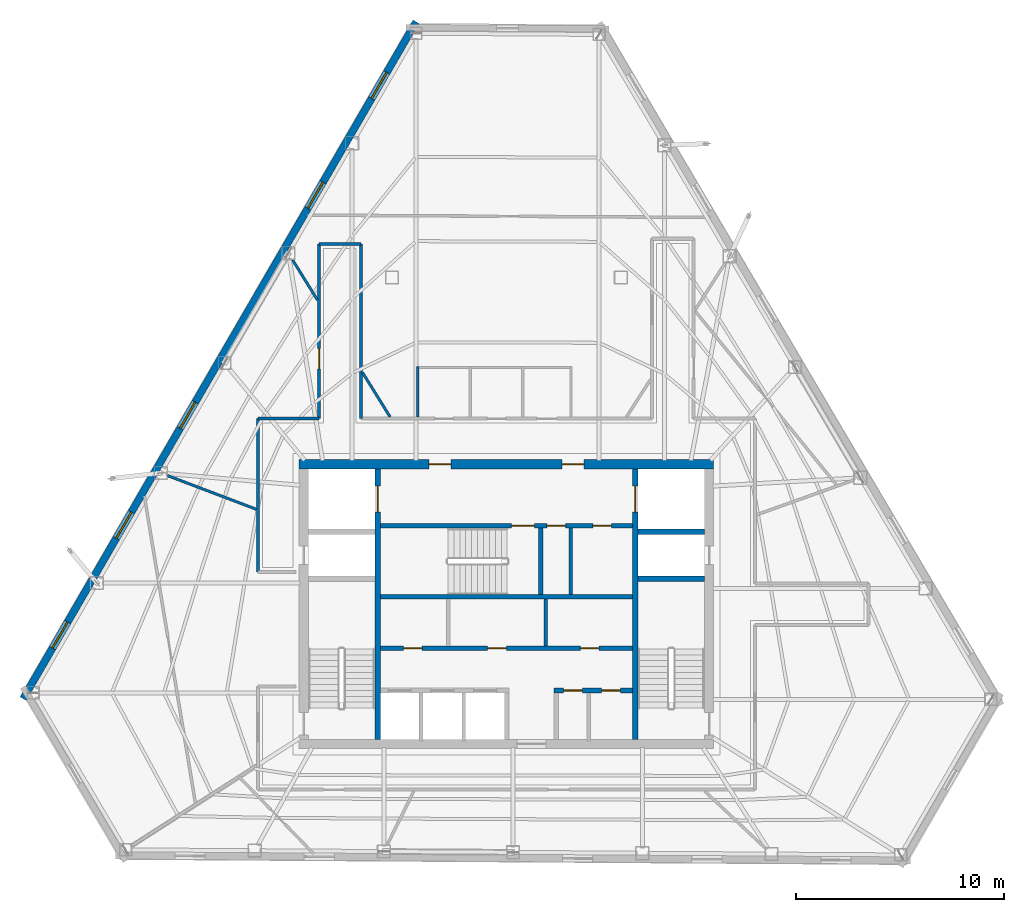
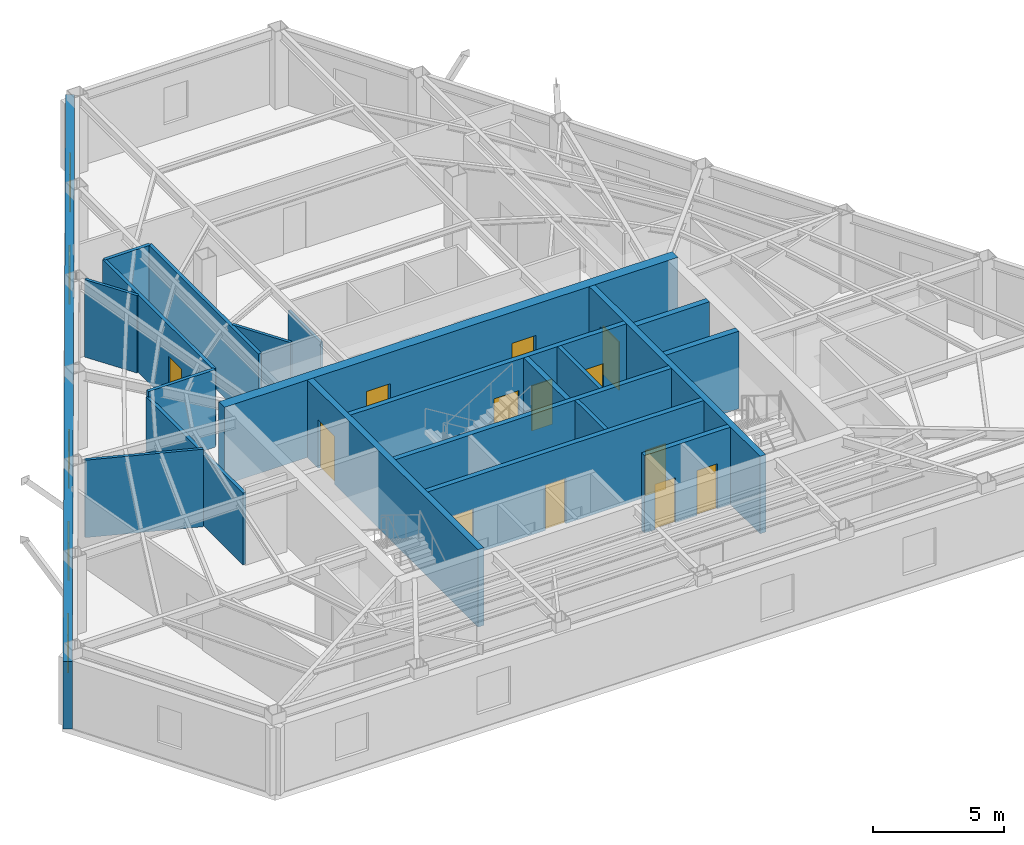
# One storey, part 8 of 11: 22 walls, 13 doors, 5 windows, 18 openings.
"""IFC4 building model written with IfcOpenShell, lengths in metres."""

from ifc_helpers import new_model, si_unit, direction, frame, frame_2d, origin, place, context, subcontext, project, spatial, rectangle, extrude, material, layer, layer_set, type_object, element, fill, save


model = new_model("IFC4")

# Units and contexts
model_context = context("Model", 3, precision=1e-05, world=origin(), true_north=direction((0.0, 1.0)))
body_context = subcontext(model_context, "Body", "Model", "MODEL_VIEW")
ifc_project = project(units=[si_unit("LENGTHUNIT", "METRE"), si_unit("AREAUNIT", "SQUARE_METRE"), si_unit("VOLUMEUNIT", "CUBIC_METRE"), si_unit("PLANEANGLEUNIT", "RADIAN"), si_unit("MASSUNIT", "GRAM", prefix="KILO")], contexts=[model_context])

# Site, building, storey
site_placement = place(None, origin())
site = spatial("IfcSite", under=ifc_project, at=site_placement, CompositionType="ELEMENT")
building_placement = place(site_placement, origin())
building = spatial("IfcBuilding", under=site, at=building_placement, Name="Kavelnor Concourse Tower", CompositionType="ELEMENT")
storey_placement = place(building_placement, frame((0.0, 0.0, 195.800048828125)))
storey = spatial("IfcBuildingStorey", under=building, at=storey_placement, Name="L49", CompositionType="ELEMENT", Elevation=195.800048828125)

# Wall, openings, doors
ifc_material_1 = material(Name="Concrete C50/60", Category="concrete")
ifc_layer_1 = layer(ifc_material_1, 0.43994140625, Name="Concrete C50/60")
ifc_layer_set_1 = layer_set([ifc_layer_1], Name="Concrete C50/60")
wall_type_1 = type_object("IfcWallType", Name="WL-CORE-Z3-440", PredefinedType="SOLIDWALL", material=ifc_layer_set_1)
wall_1_placement = place(storey_placement, frame((28.0400390625, 22.820068359375, 0.0), z_axis=(0.0, 0.0, 1.0), x_axis=(1.0, 0.0, 0.0)))
wall_1 = element("IfcWall", 1, at=wall_1_placement, inside=storey, type_object=wall_type_1, Name="L49 Central Core North Shear Wall", PredefinedType="SOLIDWALL", context=body_context, shape_type="SweptSolid", body=[
    extrude(rectangle(XDim=19.919921875, YDim=0.43994140625, at=frame_2d((9.9599609375, 0.0))), origin(), (0.0, 0.0, 1.0), 3.599853515625),
])
opening_1_placement = place(wall_1_placement, frame((6.235107421875, 0.0, 0.0)))
opening_1 = element("IfcOpeningElement", 2, at=opening_1_placement, cuts=wall_1, Name="Opening FD-105", PredefinedType="OPENING", context=body_context, shape_type="SweptSolid", body=[
    extrude(rectangle(XDim=1.050048828125, YDim=2.14990234375, at=frame_2d((0.52490234375, 1.074951171875))), frame((0.0, 0.22998046875, 0.0), z_axis=(0.0, -1.0, 0.0), x_axis=(1.0, 0.0, 0.0)), (0.0, 0.0, 1.0), 0.4599609375),
])
opening_2_placement = place(wall_1_placement, frame((12.635009765625, 0.0, 0.0)))
opening_2 = element("IfcOpeningElement", 3, at=opening_2_placement, cuts=wall_1, Name="Opening FD-105", PredefinedType="OPENING", context=body_context, shape_type="SweptSolid", body=[
    extrude(rectangle(XDim=1.050048828125, YDim=2.14990234375, at=frame_2d((0.52490234375, 1.074951171875))), frame((0.0, 0.22998046875, 0.0), z_axis=(0.0, -1.0, 0.0), x_axis=(1.0, 0.0, 0.0)), (0.0, 0.0, 1.0), 0.4599609375),
])
ifc_material_2 = material(Name="Steel Grade 350", Category="steel")
door_type_1 = type_object("IfcDoorType", Name="DR-LOBBY-FIRE-1050", OperationType="NOTDEFINED", PredefinedType="DOOR", material=ifc_material_2)
door_1_placement = place(opening_1_placement, origin())
door_1 = element("IfcDoor", 4, at=door_1_placement, inside=storey, type_object=door_type_1, Name="L49 Emergency Lift Lobby West Door", OperationType="SINGLE_SWING_LEFT", OverallHeight=2.14990234375, OverallWidth=1.050048828125, PredefinedType="DOOR", context=body_context, shape_type="SweptSolid", body=[
    extrude(rectangle(XDim=1.050048828125, YDim=2.14990234375, at=frame_2d((0.52490234375, 1.074951171875))), frame((0.0, 0.02490234375, 0.0), z_axis=(0.0, -1.0, 0.0), x_axis=(1.0, 0.0, 0.0)), (0.0, 0.0, 1.0), 0.050048828125),
])
fill(opening_1, door_1)
door_2_placement = place(opening_2_placement, origin())
door_2 = element("IfcDoor", 5, at=door_2_placement, inside=storey, type_object=door_type_1, Name="L49 Emergency Lift Lobby East Door", OperationType="SINGLE_SWING_RIGHT", OverallHeight=2.14990234375, OverallWidth=1.050048828125, PredefinedType="DOOR", context=body_context, shape_type="SweptSolid", body=[
    extrude(rectangle(XDim=1.050048828125, YDim=2.14990234375, at=frame_2d((0.52490234375, 1.074951171875))), frame((0.0, 0.02490234375, 0.0), z_axis=(0.0, -1.0, 0.0), x_axis=(1.0, 0.0, 0.0)), (0.0, 0.0, 1.0), 0.050048828125),
])
fill(opening_2, door_2)

# Wall, openings, windows
ifc_material_3 = material(Name="Red-ochre clay face brick masonry", Category="masonry")
ifc_layer_2 = layer(ifc_material_3, 0.35009765625, Name="Red-ochre clay face brick masonry")
ifc_layer_set_2 = layer_set([ifc_layer_2], Name="Red-ochre clay face brick masonry")
wall_type_2 = type_object("IfcWallType", Name="WL-EXT-RED-BRICK-PIER-350", PredefinedType="STANDARD", material=ifc_layer_set_2)
wall_2_placement = place(storey_placement, frame((14.773193359375, 11.55517578125, 0.0), z_axis=(0.0, 0.0, 1.0), x_axis=(0.502113441051, 0.864801764751, 0.0)))
wall_2 = element("IfcWall", 6, at=wall_2_placement, inside=storey, type_object=wall_type_2, Name="L49 Exterior Brick Facade Wall E1", PredefinedType="STANDARD", context=body_context, shape_type="SweptSolid", body=[
    extrude(rectangle(XDim=37.617919921875, YDim=0.35009765625, at=frame_2d((18.80908203125, 0.0))), origin(), (0.0, 0.0, 1.0), 3.1318359375),
])
opening_3_placement = place(wall_2_placement, frame((33.359619140625, 0.0, 0.64990234375)))
opening_3 = element("IfcOpeningElement", 7, at=opening_3_placement, cuts=wall_2, Name="Opening W-03", PredefinedType="OPENING", context=body_context, shape_type="SweptSolid", body=[
    extrude(rectangle(XDim=1.449951171875, YDim=1.75, at=frame_2d((0.72509765625, 0.875))), frame((0.0, 0.18505859375, 0.0), z_axis=(0.0, -1.0, 0.0), x_axis=(1.0, 0.0, 0.0)), (0.0, 0.0, 1.0), 0.3701171875),
])
opening_4_placement = place(wall_2_placement, frame((27.249755859375, 0.0, 0.64990234375)))
opening_4 = element("IfcOpeningElement", 8, at=opening_4_placement, cuts=wall_2, Name="Opening W-03", PredefinedType="OPENING", context=body_context, shape_type="SweptSolid", body=[
    extrude(rectangle(XDim=1.449951171875, YDim=1.75, at=frame_2d((0.72509765625, 0.875))), frame((0.0, 0.18505859375, 0.0), z_axis=(0.0, -1.0, 0.0), x_axis=(1.0, 0.0, 0.0)), (0.0, 0.0, 1.0), 0.3701171875),
])
opening_5_placement = place(wall_2_placement, frame((15.0302734375, 0.0, 0.64990234375)))
opening_5 = element("IfcOpeningElement", 9, at=opening_5_placement, cuts=wall_2, Name="Opening W-03", PredefinedType="OPENING", context=body_context, shape_type="SweptSolid", body=[
    extrude(rectangle(XDim=1.449951171875, YDim=1.75, at=frame_2d((0.72509765625, 0.875))), frame((0.0, 0.18505859375, 0.0), z_axis=(0.0, -1.0, 0.0), x_axis=(1.0, 0.0, 0.0)), (0.0, 0.0, 1.0), 0.3701171875),
])
opening_6_placement = place(wall_2_placement, frame((8.92041015625, 0.0, 0.64990234375)))
opening_6 = element("IfcOpeningElement", 10, at=opening_6_placement, cuts=wall_2, Name="Opening W-03", PredefinedType="OPENING", context=body_context, shape_type="SweptSolid", body=[
    extrude(rectangle(XDim=1.449951171875, YDim=1.75, at=frame_2d((0.72509765625, 0.875))), frame((0.0, 0.18505859375, 0.0), z_axis=(0.0, -1.0, 0.0), x_axis=(1.0, 0.0, 0.0)), (0.0, 0.0, 1.0), 0.3701171875),
])
opening_7_placement = place(wall_2_placement, frame((2.810791015625, 0.0, 0.64990234375)))
opening_7 = element("IfcOpeningElement", 11, at=opening_7_placement, cuts=wall_2, Name="Opening W-03", PredefinedType="OPENING", context=body_context, shape_type="SweptSolid", body=[
    extrude(rectangle(XDim=1.449951171875, YDim=1.75, at=frame_2d((0.72509765625, 0.875))), frame((0.0, 0.18505859375, 0.0), z_axis=(0.0, -1.0, 0.0), x_axis=(1.0, 0.0, 0.0)), (0.0, 0.0, 1.0), 0.3701171875),
])
ifc_material_4 = material(Name="Double low-E argon insulated glazing", Category="glass")
window_type = type_object("IfcWindowType", Name="WIN-PIER-Z3-1500", PartitioningType="SINGLE_PANEL", PredefinedType="WINDOW", material=ifc_material_4)
window_1_placement = place(opening_3_placement, origin())
window_1 = element("IfcWindow", 12, at=window_1_placement, inside=storey, type_object=window_type, Name="L49 Deep-Set Brick Pier Window F0-B0", OverallHeight=1.75, OverallWidth=1.449951171875, PartitioningType="SINGLE_PANEL", PredefinedType="WINDOW", context=body_context, shape_type="SweptSolid", body=[
    extrude(rectangle(XDim=1.449951171875, YDim=1.75, at=frame_2d((0.72509765625, 0.875))), frame((0.0, 0.030029296875, 0.0), z_axis=(0.0, -1.0, 0.0), x_axis=(1.0, 0.0, 0.0)), (0.0, 0.0, 1.0), 0.06005859375),
])
fill(opening_3, window_1)
window_2_placement = place(opening_4_placement, origin())
window_2 = element("IfcWindow", 13, at=window_2_placement, inside=storey, type_object=window_type, Name="L49 Deep-Set Brick Pier Window F0-B1", OverallHeight=1.75, OverallWidth=1.449951171875, PartitioningType="SINGLE_PANEL", PredefinedType="WINDOW", context=body_context, shape_type="SweptSolid", body=[
    extrude(rectangle(XDim=1.449951171875, YDim=1.75, at=frame_2d((0.72509765625, 0.875))), frame((0.0, 0.030029296875, 0.0), z_axis=(0.0, -1.0, 0.0), x_axis=(1.0, 0.0, 0.0)), (0.0, 0.0, 1.0), 0.06005859375),
])
fill(opening_4, window_2)
window_3_placement = place(opening_5_placement, origin())
window_3 = element("IfcWindow", 14, at=window_3_placement, inside=storey, type_object=window_type, Name="L49 Deep-Set Brick Pier Window F0-B3", OverallHeight=1.75, OverallWidth=1.449951171875, PartitioningType="SINGLE_PANEL", PredefinedType="WINDOW", context=body_context, shape_type="SweptSolid", body=[
    extrude(rectangle(XDim=1.449951171875, YDim=1.75, at=frame_2d((0.72509765625, 0.875))), frame((0.0, 0.030029296875, 0.0), z_axis=(0.0, -1.0, 0.0), x_axis=(1.0, 0.0, 0.0)), (0.0, 0.0, 1.0), 0.06005859375),
])
fill(opening_5, window_3)
window_4_placement = place(opening_6_placement, origin())
window_4 = element("IfcWindow", 15, at=window_4_placement, inside=storey, type_object=window_type, Name="L49 Deep-Set Brick Pier Window F0-B4", OverallHeight=1.75, OverallWidth=1.449951171875, PartitioningType="SINGLE_PANEL", PredefinedType="WINDOW", context=body_context, shape_type="SweptSolid", body=[
    extrude(rectangle(XDim=1.449951171875, YDim=1.75, at=frame_2d((0.72509765625, 0.875))), frame((0.0, 0.030029296875, 0.0), z_axis=(0.0, -1.0, 0.0), x_axis=(1.0, 0.0, 0.0)), (0.0, 0.0, 1.0), 0.06005859375),
])
fill(opening_6, window_4)
window_5_placement = place(opening_7_placement, origin())
window_5 = element("IfcWindow", 16, at=window_5_placement, inside=storey, type_object=window_type, Name="L49 Deep-Set Brick Pier Window F0-B5", OverallHeight=1.75, OverallWidth=1.449951171875, PartitioningType="SINGLE_PANEL", PredefinedType="WINDOW", context=body_context, shape_type="SweptSolid", body=[
    extrude(rectangle(XDim=1.449951171875, YDim=1.75, at=frame_2d((0.72509765625, 0.875))), frame((0.0, 0.030029296875, 0.0), z_axis=(0.0, -1.0, 0.0), x_axis=(1.0, 0.0, 0.0)), (0.0, 0.0, 1.0), 0.06005859375),
])
fill(opening_7, window_5)

# Walls
ifc_material_5 = material(Name="Gypsum plasterboard on light-gauge steel studs", Category="steel")
ifc_layer_3 = layer(ifc_material_5, 0.14501953125, Name="Gypsum plasterboard on light-gauge steel studs")
ifc_layer_set_3 = layer_set([ifc_layer_3], Name="Gypsum plasterboard on light-gauge steel studs")
wall_type_3 = type_object("IfcWallType", Name="WL-INT-CORR-145", PredefinedType="PARTITIONING", material=ifc_layer_set_3)
wall_3_placement = place(storey_placement, frame((26.06005859375, 17.64990234375, 0.0), z_axis=(0.0, 0.0, 1.0), x_axis=(0.0, 1.0, 0.0)))
element("IfcWall", 17, at=wall_3_placement, inside=storey, type_object=wall_type_3, Name="L49 Corridor Wall WL-L49-CR-02", PredefinedType="PARTITIONING", context=body_context, shape_type="SweptSolid", body=[
    extrude(rectangle(XDim=7.3701171875, YDim=0.14501953125, at=frame_2d((3.68505859375, 0.0))), origin(), (0.0, 0.0, 1.0), 3.3388671875),
])
wall_4_placement = place(storey_placement, frame((26.06005859375, 25.02001953125, 0.0), z_axis=(0.0, 0.0, 1.0), x_axis=(1.0, 0.0, 0.0)))
element("IfcWall", 18, at=wall_4_placement, inside=storey, type_object=wall_type_3, Name="L49 Corridor Wall WL-L49-CR-03", PredefinedType="PARTITIONING", context=body_context, shape_type="SweptSolid", body=[
    extrude(rectangle(XDim=2.93994140625, YDim=0.14501953125, at=frame_2d((1.469970703125, 0.0))), origin(), (0.0, 0.0, 1.0), 3.599853515625),
])

# Wall, opening, door
wall_5_placement = place(storey_placement, frame((29.0, 25.02001953125, 0.0), z_axis=(0.0, 0.0, 1.0), x_axis=(0.0, 1.0, 0.0)))
wall_5 = element("IfcWall", 19, at=wall_5_placement, inside=storey, type_object=wall_type_3, Name="L49 Corridor Wall WL-L49-CR-04", PredefinedType="PARTITIONING", context=body_context, shape_type="SweptSolid", body=[
    extrude(rectangle(XDim=8.388916015625, YDim=0.14501953125, at=frame_2d((4.1943359375, 0.0))), origin(), (0.0, 0.0, 1.0), 3.599853515625),
])
opening_8_placement = place(wall_5_placement, frame((2.38330078125, 0.0, 0.0)))
opening_8 = element("IfcOpeningElement", 20, at=opening_8_placement, cuts=wall_5, Name="Opening OD-098", PredefinedType="OPENING", context=body_context, shape_type="SweptSolid", body=[
    extrude(rectangle(XDim=0.97998046875, YDim=2.14990234375, at=frame_2d((0.489990234375, 1.074951171875))), frame((0.0, 0.08251953125, 0.0), z_axis=(0.0, -1.0, 0.0), x_axis=(1.0, 0.0, 0.0)), (0.0, 0.0, 1.0), 0.1650390625),
])
ifc_material_6 = material(Name="Solid-core hardwood timber", Category="wood")
door_type_2 = type_object("IfcDoorType", Name="DR-OFFICE-980", OperationType="NOTDEFINED", PredefinedType="DOOR", material=ifc_material_6)
door_3_placement = place(opening_8_placement, origin())
door_3 = element("IfcDoor", 21, at=door_3_placement, inside=storey, type_object=door_type_2, Name="L49 Architectural Design Studio 05 Door", OperationType="SINGLE_SWING_LEFT", OverallHeight=2.14990234375, OverallWidth=0.97998046875, PredefinedType="DOOR", context=body_context, shape_type="SweptSolid", body=[
    extrude(rectangle(XDim=0.97998046875, YDim=2.14990234375, at=frame_2d((0.489990234375, 1.074951171875))), frame((0.0, 0.02490234375, 0.0), z_axis=(0.0, -1.0, 0.0), x_axis=(1.0, 0.0, 0.0)), (0.0, 0.0, 1.0), 0.050048828125),
])
fill(opening_8, door_3)

# Walls
wall_6_placement = place(storey_placement, frame((29.0, 33.408935546875, 0.0), z_axis=(0.0, 0.0, 1.0), x_axis=(1.0, 0.0, 0.0)))
element("IfcWall", 22, at=wall_6_placement, inside=storey, type_object=wall_type_3, Name="L49 Corridor Wall WL-L49-CR-05", PredefinedType="PARTITIONING", context=body_context, shape_type="SweptSolid", body=[
    extrude(rectangle(XDim=2.0, YDim=0.14501953125, at=frame_2d((1.0, 0.0))), origin(), (0.0, 0.0, 1.0), 3.599853515625),
])
wall_7_placement = place(storey_placement, frame((31.0, 33.408935546875, 0.0), z_axis=(0.0, 0.0, 1.0), x_axis=(0.0, -1.0, 0.0)))
element("IfcWall", 23, at=wall_7_placement, inside=storey, type_object=wall_type_3, Name="L49 Corridor Wall WL-L49-CR-06", PredefinedType="PARTITIONING", context=body_context, shape_type="SweptSolid", body=[
    extrude(rectangle(XDim=8.388916015625, YDim=0.14501953125, at=frame_2d((4.1943359375, 0.0))), origin(), (0.0, 0.0, 1.0), 3.599853515625),
])
ifc_layer_4 = layer(ifc_material_5, 0.1650390625, Name="Gypsum plasterboard on light-gauge steel studs")
ifc_layer_set_4 = layer_set([ifc_layer_4], Name="Gypsum plasterboard on light-gauge steel studs")
wall_type_4 = type_object("IfcWallType", Name="WL-INT-FIRE-165", PredefinedType="PARTITIONING", material=ifc_layer_set_4)
wall_8_placement = place(storey_placement, frame((39.89990234375, 14.10009765625, 0.0), z_axis=(0.0, 0.0, 1.0), x_axis=(0.0, 1.0, 0.0)))
element("IfcWall", 24, at=wall_8_placement, inside=storey, type_object=wall_type_4, Name="L49 Reclaimed Core Partition B", PredefinedType="PARTITIONING", context=body_context, shape_type="SweptSolid", body=[
    extrude(rectangle(XDim=2.239990234375, YDim=0.1650390625, at=frame_2d((1.1201171875, 0.0))), origin(), (0.0, 0.0, 1.0), 3.599853515625),
])
wall_9_placement = place(storey_placement, frame((41.10009765625, 16.56005859375, 0.0), z_axis=(0.0, 0.0, 1.0), x_axis=(0.0, 1.0, 0.0)))
element("IfcWall", 25, at=wall_9_placement, inside=storey, type_object=wall_type_4, Name="L49 Core Support West Divider", PredefinedType="PARTITIONING", context=body_context, shape_type="SweptSolid", body=[
    extrude(rectangle(XDim=3.199951171875, YDim=0.1650390625, at=frame_2d((1.60009765625, 0.0))), origin(), (0.0, 0.0, 1.0), 3.599853515625),
])
ifc_layer_5 = layer(ifc_material_5, 0.125, Name="Gypsum plasterboard on light-gauge steel studs")
ifc_layer_set_5 = layer_set([ifc_layer_5], Name="Gypsum plasterboard on light-gauge steel studs")
wall_type_5 = type_object("IfcWallType", Name="WL-INT-SUITE-125", PredefinedType="PARTITIONING", material=ifc_layer_set_5)
wall_10_placement = place(storey_placement, frame((32.408447265625, 25.1005859375, 0.0), z_axis=(0.0, 0.0, 1.0), x_axis=(-0.527746847309, 0.84940171012, 0.0)))
element("IfcWall", 26, at=wall_10_placement, inside=storey, type_object=wall_type_5, Name="L49 Radial Suite Partition 03", PredefinedType="PARTITIONING", context=body_context, shape_type="SweptSolid", body=[
    extrude(rectangle(XDim=2.51611328125, YDim=0.125, at=frame_2d((1.258056640625, 0.0))), origin(), (0.0, 0.0, 1.0), 3.599853515625),
])
wall_11_placement = place(storey_placement, frame((28.91943359375, 30.71630859375, 0.0), z_axis=(0.0, 0.0, 1.0), x_axis=(-0.527703212619, 0.849428819497, 0.0)))
element("IfcWall", 27, at=wall_11_placement, inside=storey, type_object=wall_type_5, Name="L49 Radial Suite Partition 03", PredefinedType="PARTITIONING", context=body_context, shape_type="SweptSolid", body=[
    extrude(rectangle(XDim=2.267333984375, YDim=0.125, at=frame_2d((1.1337890625, 0.0))), origin(), (0.0, 0.0, 1.0), 3.599853515625),
])
wall_12_placement = place(storey_placement, frame((25.9794921875, 20.65966796875, 0.0), z_axis=(0.0, 0.0, 1.0), x_axis=(-0.935010369313, 0.354620373465, 0.0)))
element("IfcWall", 28, at=wall_12_placement, inside=storey, type_object=wall_type_5, Name="L49 Radial Suite Partition 04", PredefinedType="PARTITIONING", context=body_context, shape_type="SweptSolid", body=[
    extrude(rectangle(XDim=4.564453125, YDim=0.125, at=frame_2d((2.2822265625, 0.0))), origin(), (0.0, 0.0, 1.0), 3.599853515625),
])
ifc_layer_6 = layer(ifc_material_5, 0.110107421875, Name="Gypsum plasterboard on light-gauge steel studs")
ifc_layer_set_6 = layer_set([ifc_layer_6], Name="Gypsum plasterboard on light-gauge steel studs")
wall_type_6 = type_object("IfcWallType", Name="WL-INT-WC-110", PredefinedType="PLUMBINGWALL", material=ifc_layer_set_6)
wall_13_placement = place(storey_placement, frame((33.739990234375, 25.090087890625, 0.0), z_axis=(0.0, 0.0, 1.0), x_axis=(0.0, 1.0, 0.0)))
element("IfcWall", 29, at=wall_13_placement, inside=storey, type_object=wall_type_6, Name="L49 Sanitary Partition WL-L49-WC-W", PredefinedType="PLUMBINGWALL", context=body_context, shape_type="SweptSolid", body=[
    extrude(rectangle(XDim=2.43994140625, YDim=0.110107421875, at=frame_2d((1.219970703125, 0.0))), origin(), (0.0, 0.0, 1.0), 3.140869140625),
])

# Wall, openings, doors
ifc_layer_7 = layer(ifc_material_1, 0.219970703125, Name="Concrete C50/60")
ifc_layer_set_7 = layer_set([ifc_layer_7], Name="Concrete C50/60")
wall_type_7 = type_object("IfcWallType", Name="WL-SHAFT-220", PredefinedType="SOLIDWALL", material=ifc_layer_set_7)
wall_14_placement = place(storey_placement, frame((31.93994140625, 19.8701171875, 0.0), z_axis=(0.0, 0.0, 1.0), x_axis=(1.0, 0.0, 0.0)))
wall_14 = element("IfcWall", 30, at=wall_14_placement, inside=storey, type_object=wall_type_7, Name="L49 Emergency Lift Lobby South Wall", PredefinedType="SOLIDWALL", context=body_context, shape_type="SweptSolid", body=[
    extrude(rectangle(XDim=12.1201171875, YDim=0.219970703125, at=frame_2d((6.06005859375, 0.0))), origin(), (0.0, 0.0, 1.0), 3.599853515625),
])
opening_9_placement = place(wall_14_placement, frame((6.300048828125, 0.0, 0.0)))
opening_9 = element("IfcOpeningElement", 31, at=opening_9_placement, cuts=wall_14, Name="Opening FD-110", PredefinedType="OPENING", context=body_context, shape_type="SweptSolid", body=[
    extrude(rectangle(XDim=1.10009765625, YDim=2.14990234375, at=frame_2d((0.550048828125, 1.074951171875))), frame((0.0, 0.1201171875, 0.0), z_axis=(0.0, -1.0, 0.0), x_axis=(1.0, 0.0, 0.0)), (0.0, 0.0, 1.0), 0.239990234375),
])
opening_10_placement = place(wall_14_placement, frame((8.010009765625, 0.0, 0.0)))
opening_10 = element("IfcOpeningElement", 32, at=opening_10_placement, cuts=wall_14, Name="Opening FD-090", PredefinedType="OPENING", context=body_context, shape_type="SweptSolid", body=[
    extrude(rectangle(XDim=0.89990234375, YDim=2.10009765625, at=frame_2d((0.449951171875, 1.050048828125))), frame((0.0, 0.1201171875, 0.0), z_axis=(0.0, -1.0, 0.0), x_axis=(1.0, 0.0, 0.0)), (0.0, 0.0, 1.0), 0.239990234375),
])
opening_11_placement = place(wall_14_placement, frame((10.2099609375, 0.0, 0.0)))
opening_11 = element("IfcOpeningElement", 33, at=opening_11_placement, cuts=wall_14, Name="Opening FD-090", PredefinedType="OPENING", context=body_context, shape_type="SweptSolid", body=[
    extrude(rectangle(XDim=0.89990234375, YDim=2.10009765625, at=frame_2d((0.449951171875, 1.050048828125))), frame((0.0, 0.1201171875, 0.0), z_axis=(0.0, -1.0, 0.0), x_axis=(1.0, 0.0, 0.0)), (0.0, 0.0, 1.0), 0.239990234375),
])
door_type_3 = type_object("IfcDoorType", Name="DR-RISER-FIRE-900", OperationType="NOTDEFINED", PredefinedType="DOOR", material=ifc_material_2)
door_4_placement = place(opening_10_placement, origin())
door_4 = element("IfcDoor", 34, at=door_4_placement, inside=storey, type_object=door_type_3, Name="L49 Cleaner Door", OperationType="SINGLE_SWING_RIGHT", OverallHeight=2.10009765625, OverallWidth=0.89990234375, PredefinedType="DOOR", context=body_context, shape_type="SweptSolid", body=[
    extrude(rectangle(XDim=0.89990234375, YDim=2.10009765625, at=frame_2d((0.449951171875, 1.050048828125))), frame((0.0, 0.02490234375, 0.0), z_axis=(0.0, -1.0, 0.0), x_axis=(1.0, 0.0, 0.0)), (0.0, 0.0, 1.0), 0.050048828125),
])
fill(opening_10, door_4)
door_5_placement = place(opening_11_placement, origin())
door_5 = element("IfcDoor", 35, at=door_5_placement, inside=storey, type_object=door_type_3, Name="L49 UPS Room Door", OperationType="SINGLE_SWING_LEFT", OverallHeight=2.10009765625, OverallWidth=0.89990234375, PredefinedType="DOOR", context=body_context, shape_type="SweptSolid", body=[
    extrude(rectangle(XDim=0.89990234375, YDim=2.10009765625, at=frame_2d((0.449951171875, 1.050048828125))), frame((0.0, 0.02490234375, 0.0), z_axis=(0.0, -1.0, 0.0), x_axis=(1.0, 0.0, 0.0)), (0.0, 0.0, 1.0), 0.050048828125),
])
fill(opening_11, door_5)
door_type_4 = type_object("IfcDoorType", Name="DR-STAIR-FIRE-1100", OperationType="NOTDEFINED", PredefinedType="DOOR", material=ifc_material_2)
door_6_placement = place(opening_9_placement, origin())
door_6 = element("IfcDoor", 36, at=door_6_placement, inside=storey, type_object=door_type_4, Name="L49 Stair ST3 Fire Door", OperationType="SINGLE_SWING_LEFT", OverallHeight=2.14990234375, OverallWidth=1.10009765625, PredefinedType="DOOR", context=body_context, shape_type="SweptSolid", body=[
    extrude(rectangle(XDim=1.10009765625, YDim=2.14990234375, at=frame_2d((0.550048828125, 1.074951171875))), frame((0.0, 0.02490234375, 0.0), z_axis=(0.0, -1.0, 0.0), x_axis=(1.0, 0.0, 0.0)), (0.0, 0.0, 1.0), 0.050048828125),
])
fill(opening_9, door_6)

# Walls
wall_15_placement = place(storey_placement, frame((31.93994140625, 16.449951171875, 0.0), z_axis=(0.0, 0.0, 1.0), x_axis=(1.0, 0.0, 0.0)))
element("IfcWall", 37, at=wall_15_placement, inside=storey, type_object=wall_type_7, Name="L49 Stair ST3 South Core Wall", PredefinedType="SOLIDWALL", context=body_context, shape_type="SweptSolid", body=[
    extrude(rectangle(XDim=12.1201171875, YDim=0.219970703125, at=frame_2d((6.06005859375, 0.0))), origin(), (0.0, 0.0, 1.0), 3.599853515625),
])
wall_16_placement = place(storey_placement, frame((39.64990234375, 16.56005859375, 0.0), z_axis=(0.0, 0.0, 1.0), x_axis=(0.0, 1.0, 0.0)))
element("IfcWall", 38, at=wall_16_placement, inside=storey, type_object=wall_type_7, Name="L49 Stair ST3 East Core Wall", PredefinedType="SOLIDWALL", context=body_context, shape_type="SweptSolid", body=[
    extrude(rectangle(XDim=3.199951171875, YDim=0.219970703125, at=frame_2d((1.60009765625, 0.0))), origin(), (0.0, 0.0, 1.0), 3.599853515625),
])

# Wall, openings, doors
wall_17_placement = place(storey_placement, frame((31.93994140625, 13.989990234375, 0.0), z_axis=(0.0, 0.0, 1.0), x_axis=(1.0, 0.0, 0.0)))
wall_17 = element("IfcWall", 39, at=wall_17_placement, inside=storey, type_object=wall_type_7, Name="L49 North Lift Row Shaft Wall", PredefinedType="SOLIDWALL", context=body_context, shape_type="SweptSolid", body=[
    extrude(rectangle(XDim=12.1201171875, YDim=0.219970703125, at=frame_2d((6.06005859375, 0.0))), origin(), (0.0, 0.0, 1.0), 3.599853515625),
])
opening_12_placement = place(wall_17_placement, frame((1.110107421875, 0.0, 0.0)))
opening_12 = element("IfcOpeningElement", 40, at=opening_12_placement, cuts=wall_17, Name="Opening FD-090", PredefinedType="OPENING", context=body_context, shape_type="SweptSolid", body=[
    extrude(rectangle(XDim=0.89990234375, YDim=2.10009765625, at=frame_2d((0.449951171875, 1.050048828125))), frame((0.0, 0.1201171875, 0.0), z_axis=(0.0, -1.0, 0.0), x_axis=(1.0, 0.0, 0.0)), (0.0, 0.0, 1.0), 0.239990234375),
])
opening_13_placement = place(wall_17_placement, frame((5.159912109375, 0.0, 0.0)))
opening_13 = element("IfcOpeningElement", 41, at=opening_13_placement, cuts=wall_17, Name="Opening FD-090", PredefinedType="OPENING", context=body_context, shape_type="SweptSolid", body=[
    extrude(rectangle(XDim=0.89990234375, YDim=2.10009765625, at=frame_2d((0.449951171875, 1.050048828125))), frame((0.0, 0.1201171875, 0.0), z_axis=(0.0, -1.0, 0.0), x_axis=(1.0, 0.0, 0.0)), (0.0, 0.0, 1.0), 0.239990234375),
])
opening_14_placement = place(wall_17_placement, frame((9.610107421875, 0.0, 0.0)))
opening_14 = element("IfcOpeningElement", 42, at=opening_14_placement, cuts=wall_17, Name="Opening FD-090", PredefinedType="OPENING", context=body_context, shape_type="SweptSolid", body=[
    extrude(rectangle(XDim=0.89990234375, YDim=2.10009765625, at=frame_2d((0.449951171875, 1.050048828125))), frame((0.0, 0.1201171875, 0.0), z_axis=(0.0, -1.0, 0.0), x_axis=(1.0, 0.0, 0.0)), (0.0, 0.0, 1.0), 0.239990234375),
])
door_7_placement = place(opening_12_placement, origin())
door_7 = element("IfcDoor", 43, at=door_7_placement, inside=storey, type_object=door_type_3, Name="L49 Reclaimed Core Door A", OperationType="SINGLE_SWING_RIGHT", OverallHeight=2.10009765625, OverallWidth=0.89990234375, PredefinedType="DOOR", context=body_context, shape_type="SweptSolid", body=[
    extrude(rectangle(XDim=0.89990234375, YDim=2.10009765625, at=frame_2d((0.449951171875, 1.050048828125))), frame((0.0, 0.02490234375, 0.0), z_axis=(0.0, -1.0, 0.0), x_axis=(1.0, 0.0, 0.0)), (0.0, 0.0, 1.0), 0.050048828125),
])
fill(opening_12, door_7)
door_8_placement = place(opening_13_placement, origin())
door_8 = element("IfcDoor", 44, at=door_8_placement, inside=storey, type_object=door_type_3, Name="L49 Reclaimed Core Door B", OperationType="SINGLE_SWING_LEFT", OverallHeight=2.10009765625, OverallWidth=0.89990234375, PredefinedType="DOOR", context=body_context, shape_type="SweptSolid", body=[
    extrude(rectangle(XDim=0.89990234375, YDim=2.10009765625, at=frame_2d((0.449951171875, 1.050048828125))), frame((0.0, 0.02490234375, 0.0), z_axis=(0.0, -1.0, 0.0), x_axis=(1.0, 0.0, 0.0)), (0.0, 0.0, 1.0), 0.050048828125),
])
fill(opening_13, door_8)
door_9_placement = place(opening_14_placement, origin())
door_9 = element("IfcDoor", 45, at=door_9_placement, inside=storey, type_object=door_type_3, Name="L49 Reclaimed Core Door C", OperationType="SINGLE_SWING_RIGHT", OverallHeight=2.10009765625, OverallWidth=0.89990234375, PredefinedType="DOOR", context=body_context, shape_type="SweptSolid", body=[
    extrude(rectangle(XDim=0.89990234375, YDim=2.10009765625, at=frame_2d((0.449951171875, 1.050048828125))), frame((0.0, 0.02490234375, 0.0), z_axis=(0.0, -1.0, 0.0), x_axis=(1.0, 0.0, 0.0)), (0.0, 0.0, 1.0), 0.050048828125),
])
fill(opening_14, door_9)

wall_18_placement = place(storey_placement, frame((40.280029296875, 11.949951171875, 0.0), z_axis=(0.0, 0.0, 1.0), x_axis=(1.0, 0.0, 0.0)))
wall_18 = element("IfcWall", 46, at=wall_18_placement, inside=storey, type_object=wall_type_7, Name="L49 Core South Support North Wall", PredefinedType="SOLIDWALL", context=body_context, shape_type="SweptSolid", body=[
    extrude(rectangle(XDim=3.780029296875, YDim=0.219970703125, at=frame_2d((1.89013671875, 0.0))), origin(), (0.0, 0.0, 1.0), 3.599853515625),
])
opening_15_placement = place(wall_18_placement, frame((0.469970703125, 0.0, 0.0)))
opening_15 = element("IfcOpeningElement", 47, at=opening_15_placement, cuts=wall_18, Name="Opening FD-090", PredefinedType="OPENING", context=body_context, shape_type="SweptSolid", body=[
    extrude(rectangle(XDim=0.89990234375, YDim=2.10009765625, at=frame_2d((0.449951171875, 1.050048828125))), frame((0.0, 0.1201171875, 0.0), z_axis=(0.0, -1.0, 0.0), x_axis=(1.0, 0.0, 0.0)), (0.0, 0.0, 1.0), 0.239990234375),
])
opening_16_placement = place(wall_18_placement, frame((2.300048828125, 0.0, 0.0)))
opening_16 = element("IfcOpeningElement", 48, at=opening_16_placement, cuts=wall_18, Name="Opening FD-090", PredefinedType="OPENING", context=body_context, shape_type="SweptSolid", body=[
    extrude(rectangle(XDim=0.89990234375, YDim=2.10009765625, at=frame_2d((0.449951171875, 1.050048828125))), frame((0.0, 0.1201171875, 0.0), z_axis=(0.0, -1.0, 0.0), x_axis=(1.0, 0.0, 0.0)), (0.0, 0.0, 1.0), 0.239990234375),
])
door_10_placement = place(opening_15_placement, origin())
door_10 = element("IfcDoor", 49, at=door_10_placement, inside=storey, type_object=door_type_3, Name="L49 Staff WC Door", OperationType="SINGLE_SWING_LEFT", OverallHeight=2.10009765625, OverallWidth=0.89990234375, PredefinedType="DOOR", context=body_context, shape_type="SweptSolid", body=[
    extrude(rectangle(XDim=0.89990234375, YDim=2.10009765625, at=frame_2d((0.449951171875, 1.050048828125))), frame((0.0, 0.02490234375, 0.0), z_axis=(0.0, -1.0, 0.0), x_axis=(1.0, 0.0, 0.0)), (0.0, 0.0, 1.0), 0.050048828125),
])
fill(opening_15, door_10)
door_11_placement = place(opening_16_placement, origin())
door_11 = element("IfcDoor", 50, at=door_11_placement, inside=storey, type_object=door_type_3, Name="L49 Core Comms Door", OperationType="SINGLE_SWING_RIGHT", OverallHeight=2.10009765625, OverallWidth=0.89990234375, PredefinedType="DOOR", context=body_context, shape_type="SweptSolid", body=[
    extrude(rectangle(XDim=0.89990234375, YDim=2.10009765625, at=frame_2d((0.449951171875, 1.050048828125))), frame((0.0, 0.02490234375, 0.0), z_axis=(0.0, -1.0, 0.0), x_axis=(1.0, 0.0, 0.0)), (0.0, 0.0, 1.0), 0.050048828125),
])
fill(opening_16, door_11)

# Wall, opening, door
ifc_layer_8 = layer(ifc_material_1, 0.260009765625, Name="Concrete C50/60")
ifc_layer_set_8 = layer_set([ifc_layer_8], Name="Concrete C50/60")
wall_type_8 = type_object("IfcWallType", Name="WL-SHAFT-260", PredefinedType="SHEAR", material=ifc_layer_set_8)
wall_19_placement = place(storey_placement, frame((31.81005859375, 9.60009765625, 0.0), z_axis=(0.0, 0.0, 1.0), x_axis=(0.0, 1.0, 0.0)))
wall_19 = element("IfcWall", 51, at=wall_19_placement, inside=storey, type_object=wall_type_8, Name="L49 Core West Wing Shear Wall", PredefinedType="SHEAR", context=body_context, shape_type="SweptSolid", body=[
    extrude(rectangle(XDim=13.0, YDim=0.260009765625, at=frame_2d((6.5, 0.0))), origin(), (0.0, 0.0, 1.0), 3.599853515625),
])
opening_17_placement = place(wall_19_placement, frame((10.925048828125, 0.0, 0.0)))
opening_17 = element("IfcOpeningElement", 52, at=opening_17_placement, cuts=wall_19, Name="Opening LD-125", PredefinedType="OPENING", context=body_context, shape_type="SweptSolid", body=[
    extrude(rectangle(XDim=1.25, YDim=2.25, at=frame_2d((0.625, 1.125))), frame((0.0, 0.14013671875, 0.0), z_axis=(0.0, -1.0, 0.0), x_axis=(1.0, 0.0, 0.0)), (0.0, 0.0, 1.0), 0.280029296875),
])
door_type_5 = type_object("IfcDoorType", Name="DR-LIFT-SLIDING-1250", OperationType="NOTDEFINED", PredefinedType="DOOR", material=ifc_material_2)
door_12_placement = place(opening_17_placement, origin())
door_12 = element("IfcDoor", 53, at=door_12_placement, inside=storey, type_object=door_type_5, Name="L49 Emergency Lift FL1 Landing Door", OperationType="DOUBLE_DOOR_SLIDING", OverallHeight=2.25, OverallWidth=1.25, PredefinedType="DOOR", context=body_context, shape_type="SweptSolid", body=[
    extrude(rectangle(XDim=1.25, YDim=2.25, at=frame_2d((0.625, 1.125))), frame((0.0, 0.02490234375, 0.0), z_axis=(0.0, -1.0, 0.0), x_axis=(1.0, 0.0, 0.0)), (0.0, 0.0, 1.0), 0.050048828125),
])
fill(opening_17, door_12)

wall_20_placement = place(storey_placement, frame((44.18994140625, 9.60009765625, 0.0), z_axis=(0.0, 0.0, 1.0), x_axis=(0.0, 1.0, 0.0)))
wall_20 = element("IfcWall", 54, at=wall_20_placement, inside=storey, type_object=wall_type_8, Name="L49 Core East Wing Shear Wall", PredefinedType="SHEAR", context=body_context, shape_type="SweptSolid", body=[
    extrude(rectangle(XDim=13.0, YDim=0.260009765625, at=frame_2d((6.5, 0.0))), origin(), (0.0, 0.0, 1.0), 3.599853515625),
])
opening_18_placement = place(wall_20_placement, frame((10.925048828125, 0.0, 0.0)))
opening_18 = element("IfcOpeningElement", 55, at=opening_18_placement, cuts=wall_20, Name="Opening LD-125", PredefinedType="OPENING", context=body_context, shape_type="SweptSolid", body=[
    extrude(rectangle(XDim=1.25, YDim=2.25, at=frame_2d((0.625, 1.125))), frame((0.0, 0.14013671875, 0.0), z_axis=(0.0, -1.0, 0.0), x_axis=(1.0, 0.0, 0.0)), (0.0, 0.0, 1.0), 0.280029296875),
])
door_13_placement = place(opening_18_placement, origin())
door_13 = element("IfcDoor", 56, at=door_13_placement, inside=storey, type_object=door_type_5, Name="L49 Emergency Lift FL2 Landing Door", OperationType="DOUBLE_DOOR_SLIDING", OverallHeight=2.25, OverallWidth=1.25, PredefinedType="DOOR", context=body_context, shape_type="SweptSolid", body=[
    extrude(rectangle(XDim=1.25, YDim=2.25, at=frame_2d((0.625, 1.125))), frame((0.0, 0.02490234375, 0.0), z_axis=(0.0, -1.0, 0.0), x_axis=(1.0, 0.0, 0.0)), (0.0, 0.0, 1.0), 0.050048828125),
])
fill(opening_18, door_13)

# Walls
for number, where, z_axis, x_axis, name in (
    (57, (44.320068359375, 17.330078125, 0.0), (0.0, 0.0, 1.0), (1.0, 0.0, 0.0), "L49 Stair ST2 North Shaft Wall"),
    (58, (44.320068359375, 19.570068359375, 0.0), (0.0, 0.0, 1.0), (1.0, 0.0, 0.0), "L49 Emergency Lift FL2 South Shaft Wall"),
):
    element("IfcWall", number, at=place(storey_placement, frame(where, z_axis=z_axis, x_axis=x_axis)), inside=storey, type_object=wall_type_8, Name=name, PredefinedType="SHEAR", context=body_context, shape_type="SweptSolid", body=[
        extrude(rectangle(XDim=3.199951171875, YDim=0.260009765625, at=frame_2d((1.60009765625, 0.0))), origin(), (0.0, 0.0, 1.0), 3.599853515625),
    ])

save(model, "model.ifc")
